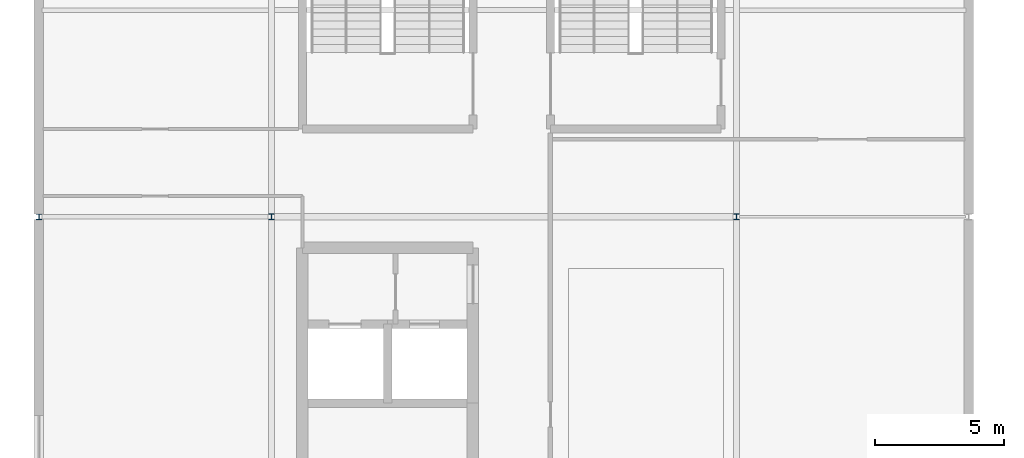
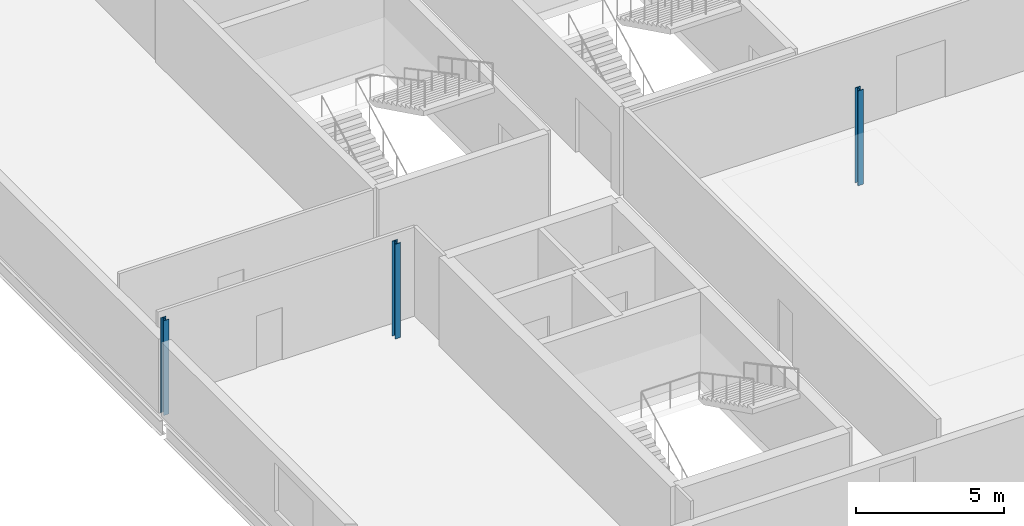
# One storey, part 2 of 35: 3 columns.
"""IFC4 building model written with IfcOpenShell, lengths in metres."""

from ifc_helpers import new_model, si_unit, direction, frame, origin, origin_2d, place, context, subcontext, project, spatial, i_section, extrude, material, material_profile, profile_set, type_object, element, save


model = new_model("IFC4")

# Units and contexts
model_context = context("Model", 3, precision=1e-05, world=origin(), true_north=direction((0.0, 1.0)))
body_context = subcontext(model_context, "Body", "Model", "MODEL_VIEW")
ifc_project = project(units=[si_unit("LENGTHUNIT", "METRE"), si_unit("AREAUNIT", "SQUARE_METRE"), si_unit("VOLUMEUNIT", "CUBIC_METRE"), si_unit("PLANEANGLEUNIT", "RADIAN"), si_unit("MASSUNIT", "GRAM", prefix="KILO")], contexts=[model_context])

# Site, building, storey
site_placement = place(None, origin())
site = spatial("IfcSite", under=ifc_project, at=site_placement, CompositionType="ELEMENT")
building_placement = place(site_placement, origin())
building = spatial("IfcBuilding", under=site, at=building_placement, Name="Kisiwana Market Hall", CompositionType="ELEMENT")
storey_placement = place(building_placement, frame((0.0, 0.0, 57.89990234375)))
storey = spatial("IfcBuildingStorey", under=building, at=storey_placement, Name="L13", CompositionType="ELEMENT", Elevation=57.89990234375)

# Columns
ifc_material_1 = material(Name="Steel S355", Category="steel")
ifc_material_profile_1 = material_profile(ifc_material_1, i_section(OverallWidth=0.205810546875, OverallDepth=0.209716796875, WebThickness=0.009521484375, FlangeThickness=0.01416015625, FilletRadius=0.01025390625, at=origin_2d()), Name="UC 203x203x60")
ifc_profile_set_1 = profile_set([ifc_material_profile_1], Name="Steel S355")
column_type_1 = type_object("IfcColumnType", Name="COL-STL-UC060", PredefinedType="COLUMN", material=ifc_profile_set_1)
column_placement = place(storey_placement, frame((0.0, 36.0, 0.0), z_axis=(0.0, 0.0, 1.0), x_axis=(1.0, 0.0, 0.0)))
element("IfcColumn", 1, at=column_placement, inside=storey, type_object=column_type_1, Name="Column E/1 (L13) C-1403", PredefinedType="COLUMN", context=body_context, shape_type="SweptSolid", body=[
    extrude(i_section(OverallWidth=0.205810546875, OverallDepth=0.209716796875, WebThickness=0.009521484375, FlangeThickness=0.01416015625, FilletRadius=0.01025390625, at=origin_2d()), origin(), (0.0, 0.0, 1.0), 3.900146484375),
])
ifc_material_2 = material(Name="Steel S355", Category="steel")
ifc_material_profile_2 = material_profile(ifc_material_2, i_section(OverallWidth=0.208984375, OverallDepth=0.22216796875, WebThickness=0.0126953125, FlangeThickness=0.0205078125, FilletRadius=0.01025390625, at=origin_2d()), Name="UC 203x203x86")
ifc_profile_set_2 = profile_set([ifc_material_profile_2], Name="Steel S355")
column_type_2 = type_object("IfcColumnType", Name="COL-STL-UC086", PredefinedType="COLUMN", material=ifc_profile_set_2)
for number, where, z_axis, x_axis, name in (
    (2, (9.0, 36.0, 0.0), (0.0, 0.0, 1.0), (1.0, 0.0, 0.0), "Column E/2 (L13) C-1408"),
    (3, (27.0, 36.0, 0.0), (0.0, 0.0, 1.0), (1.0, 0.0, 0.0), "Column E/4 (L13) C-1412"),
):
    element("IfcColumn", number, at=place(storey_placement, frame(where, z_axis=z_axis, x_axis=x_axis)), inside=storey, type_object=column_type_2, Name=name, PredefinedType="COLUMN", context=body_context, shape_type="SweptSolid", body=[
        extrude(i_section(OverallWidth=0.208984375, OverallDepth=0.22216796875, WebThickness=0.0126953125, FlangeThickness=0.0205078125, FilletRadius=0.01025390625, at=origin_2d()), origin(), (0.0, 0.0, 1.0), 3.900146484375),
    ])

save(model, "model.ifc")
